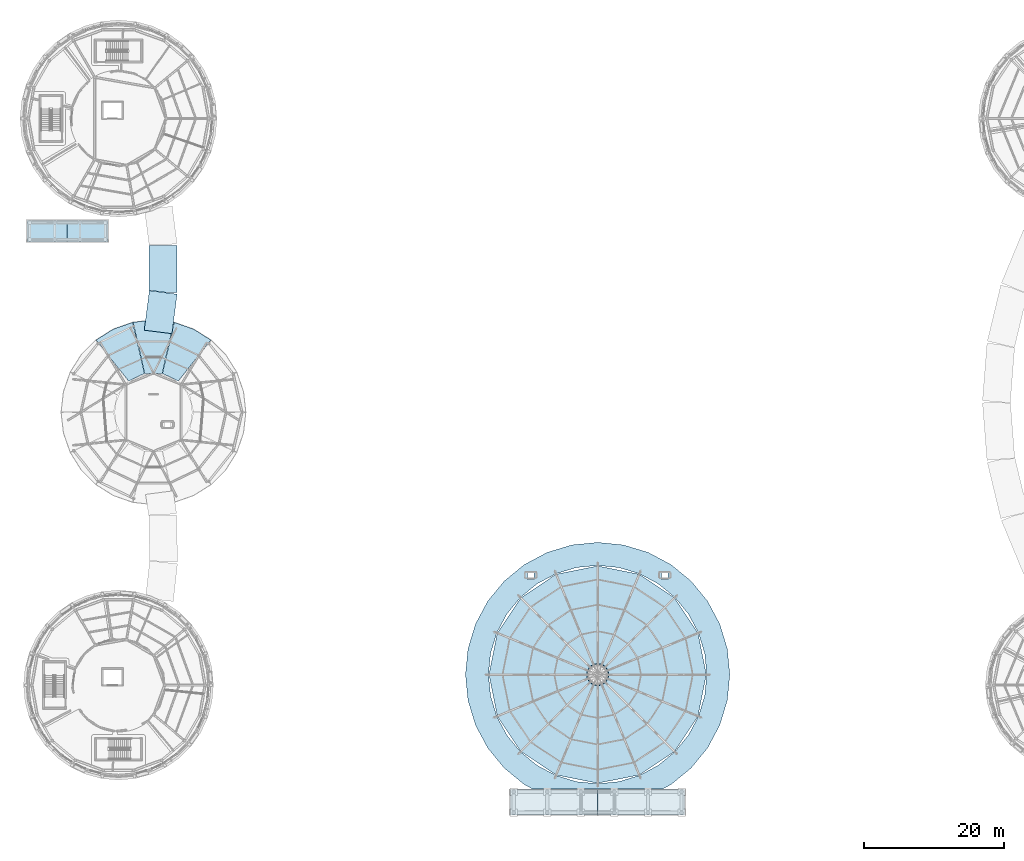
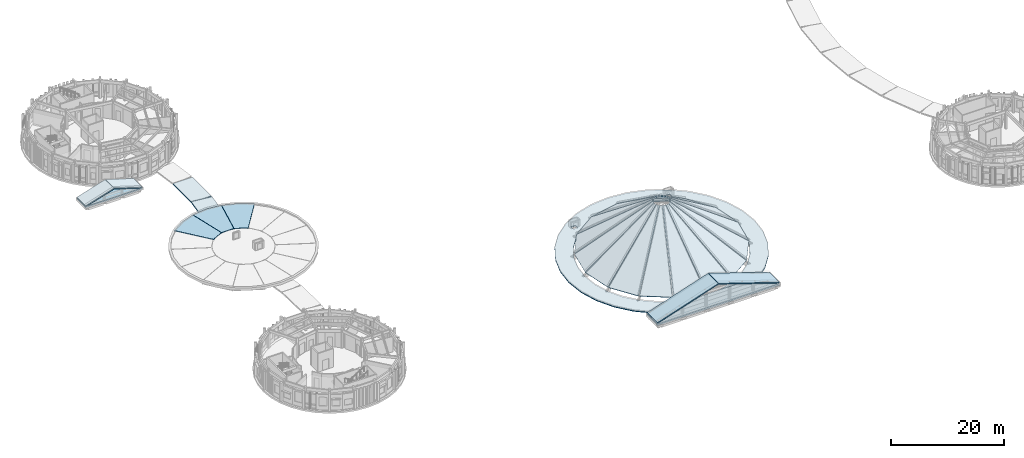
# One storey, part 22 of 58: 28 slabs.
"""IFC4 building model written with IfcOpenShell, lengths in metres."""

from ifc_helpers import new_model, si_unit, direction, frame, origin, place, context, subcontext, project, spatial, polyline, outline, extrude, material, layer, layer_set, type_object, element, save


model = new_model("IFC4")

# Units and contexts
model_context = context("Model", 3, precision=1e-05, world=origin(), true_north=direction((0.0, 1.0)))
body_context = subcontext(model_context, "Body", "Model", "MODEL_VIEW")
ifc_project = project(units=[si_unit("LENGTHUNIT", "METRE"), si_unit("AREAUNIT", "SQUARE_METRE"), si_unit("VOLUMEUNIT", "CUBIC_METRE"), si_unit("PLANEANGLEUNIT", "RADIAN"), si_unit("MASSUNIT", "GRAM", prefix="KILO")], contexts=[model_context])

# Site, building, storey
site_placement = place(None, origin())
site = spatial("IfcSite", under=ifc_project, at=site_placement, CompositionType="ELEMENT")
building_placement = place(site_placement, origin())
building = spatial("IfcBuilding", under=site, at=building_placement, Name="Aldenvaro Health Centre", CompositionType="ELEMENT")
storey_placement = place(building_placement, frame((0.0, 0.0, 8.75)))
storey = spatial("IfcBuildingStorey", under=building, at=storey_placement, Name="L02", CompositionType="ELEMENT", Elevation=8.75)

# Slabs
ifc_material_1 = material(Name="Cross-laminated timber CLT E1", Category="wood")
ifc_layer_1 = layer(ifc_material_1, 0.175048828125, Name="Cross-laminated timber CLT E1", Category="wood")
ifc_layer_set_1 = layer_set([ifc_layer_1], Name="Cross-laminated timber CLT E1")
slab_type_1 = type_object("IfcSlabType", Name="SLB-ROOF-175", PredefinedType="ROOF", material=ifc_layer_set_1)
slab_1_placement = place(storey_placement, frame((0.0, 0.0, 0.6201171875)))
element("IfcSlab", 1, at=slab_1_placement, inside=storey, type_object=slab_type_1, Name="D3 Overhanging Flat Roof Sector 03", PredefinedType="ROOF", context=body_context, shape_type="SweptSolid", body=[
    extrude(outline(polyline([(31.708984375, 67.8369140625), (29.22802734375, 69.39306640625), (26.464111328125, 70.363037109375), (24.780029296875, 63.053955078125), (27.044921875, 61.964111328125), (31.708984375, 67.8369140625)])), origin(), (0.0, 0.0, 1.0), 0.1748046875),
])
slab_2_placement = place(storey_placement, frame((0.0, 0.0, 0.6201171875)))
element("IfcSlab", 2, at=slab_2_placement, inside=storey, type_object=slab_type_1, Name="D3 Overhanging Flat Roof Sector 04", PredefinedType="ROOF", context=body_context, shape_type="SweptSolid", body=[
    extrude(outline(polyline([(26.410888671875, 70.375), (23.5, 70.699951171875), (20.589111328125, 70.375), (22.242919921875, 63.06005859375), (24.757080078125, 63.06005859375), (26.410888671875, 70.375)])), origin(), (0.0, 0.0, 1.0), 0.1748046875),
])
slab_3_placement = place(storey_placement, frame((0.0, 0.0, 0.6201171875)))
element("IfcSlab", 3, at=slab_3_placement, inside=storey, type_object=slab_type_1, Name="D3 Overhanging Flat Roof Sector 05", PredefinedType="ROOF", context=body_context, shape_type="SweptSolid", body=[
    extrude(outline(polyline([(20.535888671875, 70.363037109375), (17.77197265625, 69.39306640625), (15.291015625, 67.8369140625), (19.955078125, 61.964111328125), (22.219970703125, 63.053955078125), (20.535888671875, 70.363037109375)])), origin(), (0.0, 0.0, 1.0), 0.1748046875),
])
ifc_layer_2 = layer(ifc_material_1, 0.195068359375, Name="Cross-laminated timber CLT E1", Category="wood")
ifc_layer_set_2 = layer_set([ifc_layer_2], Name="Cross-laminated timber CLT E1")
slab_type_2 = type_object("IfcSlabType", Name="SLB-ROOF-195", PredefinedType="ROOF", material=ifc_layer_set_2)
slab_4_placement = place(storey_placement, origin())
element("IfcSlab", 4, at=slab_4_placement, inside=storey, type_object=slab_type_2, Name="Waiting Rotunda Overhanging Lower Cornice Roof", PredefinedType="ROOF", context=body_context, shape_type="SweptSolid", body=[
    extrude(outline(polyline([(76.5, 4.284912109375), (73.635986328125, 6.635986328125), (71.284912109375, 9.5), (69.5390625, 12.76708984375), (68.462890625, 16.31298828125), (68.10009765625, 20.0), (68.462890625, 23.68701171875), (69.5390625, 27.23291015625), (71.284912109375, 30.5), (73.635986328125, 33.364013671875), (76.5, 35.715087890625), (79.76708984375, 37.4609375), (83.31298828125, 38.537109375), (87.0, 38.89990234375), (90.68701171875, 38.537109375), (94.23291015625, 37.4609375), (97.5, 35.715087890625), (100.364013671875, 33.364013671875), (102.715087890625, 30.5), (104.4609375, 27.23291015625), (105.537109375, 23.68701171875), (105.89990234375, 20.0), (105.537109375, 16.31298828125), (104.4609375, 12.76708984375), (102.715087890625, 9.5), (100.364013671875, 6.635986328125), (97.5, 4.284912109375), (96.31201171875, 3.64990234375), (77.68798828125, 3.64990234375), (76.5, 4.284912109375)]), holes=[polyline([(102.300048828125, 23.04296875), (101.4130859375, 25.969970703125), (99.970947265625, 28.6669921875), (98.031005859375, 31.031005859375), (95.6669921875, 32.970947265625), (92.969970703125, 34.4130859375), (90.04296875, 35.300048828125), (87.0, 35.60009765625), (83.95703125, 35.300048828125), (81.030029296875, 34.4130859375), (78.3330078125, 32.970947265625), (75.968994140625, 31.031005859375), (74.029052734375, 28.6669921875), (72.5869140625, 25.969970703125), (71.699951171875, 23.04296875), (71.39990234375, 20.0), (71.699951171875, 16.95703125), (72.5869140625, 14.030029296875), (74.029052734375, 11.3330078125), (75.968994140625, 8.968994140625), (78.3330078125, 7.029052734375), (81.030029296875, 5.5869140625), (83.95703125, 4.699951171875), (87.0, 4.39990234375), (90.04296875, 4.699951171875), (92.969970703125, 5.5869140625), (95.6669921875, 7.029052734375), (98.031005859375, 8.968994140625), (99.970947265625, 11.3330078125), (101.4130859375, 14.030029296875), (102.300048828125, 16.95703125), (102.60009765625, 20.0), (102.300048828125, 23.04296875)]), polyline([(77.8701171875, 33.6298828125), (77.8701171875, 34.530029296875), (76.969970703125, 34.530029296875), (76.969970703125, 33.6298828125), (77.8701171875, 33.6298828125)]), polyline([(97.030029296875, 33.6298828125), (97.030029296875, 34.530029296875), (96.1298828125, 34.530029296875), (96.1298828125, 33.6298828125), (97.030029296875, 33.6298828125)])]), origin(), (0.0, 0.0, 1.0), 0.195068359375),
])
slab_5_placement = place(storey_placement, frame((102.52001953125, 20.075927734375, 1.06591796875), z_axis=(0.582438241072, 0.115944333114, 0.804563612746), x_axis=(-0.195224377282, 0.980758605587, -9.022968e-06)))
element("IfcSlab", 5, at=slab_5_placement, inside=storey, type_object=slab_type_2, Name="Waiting Rotunda Pitched Roof Sector 01", PredefinedType="ROOF", context=body_context, shape_type="SweptSolid", body=[
    extrude(outline(polyline([(0.0, 0.0), (5.906612531073507, -1.1102230246251565e-16), (3.257481591593891, 16.99712631904609), (2.652805993064616, 16.997027389152397), (0.0, 0.0)])), origin(), (0.0, 0.0, -1.0), 0.195068359375),
])
slab_6_placement = place(storey_placement, frame((101.30908203125, 26.009033203125, 1.06591796875), z_axis=(0.493817172642, 0.329879400778, 0.80456459091), x_axis=(-0.555462345064, 0.831541690481, -1.4454811e-05)))
element("IfcSlab", 6, at=slab_6_placement, inside=storey, type_object=slab_type_2, Name="Waiting Rotunda Pitched Roof Sector 02", PredefinedType="ROOF", context=body_context, shape_type="SweptSolid", body=[
    extrude(outline(polyline([(0.0, 0.0), (5.906895929221431, 0.0), (3.2540504435387816, 16.997193962458763), (2.649107198533209, 16.997035462828197), (0.0, 0.0)])), origin(), (0.0, 0.0, -1.0), 0.195068359375),
])
slab_7_placement = place(storey_placement, frame((97.9208984375, 31.028076171875, 1.06591796875), z_axis=(0.329879400778, 0.493817172642, 0.80456459091), x_axis=(-0.831541690481, 0.555462345064, 1.4454811e-05)))
element("IfcSlab", 7, at=slab_7_placement, inside=storey, type_object=slab_type_2, Name="Waiting Rotunda Pitched Roof Sector 03", PredefinedType="ROOF", context=body_context, shape_type="SweptSolid", body=[
    extrude(outline(polyline([(0.0, 0.0), (5.906895929221431, 0.0), (3.2577887306882203, 16.997035462828197), (2.6528454856826484, 16.997193962458763), (0.0, 0.0)])), origin(), (0.0, 0.0, -1.0), 0.195068359375),
])
slab_8_placement = place(storey_placement, frame((92.868896484375, 34.366943359375, 1.06591796875), z_axis=(0.115944333114, 0.582438241072, 0.804563612746), x_axis=(-0.980758605587, 0.195224377282, 9.022968e-06)))
element("IfcSlab", 8, at=slab_8_placement, inside=storey, type_object=slab_type_2, Name="Waiting Rotunda Pitched Roof Sector 04", PredefinedType="ROOF", context=body_context, shape_type="SweptSolid", body=[
    extrude(outline(polyline([(0.0, 0.0), (5.906612531073507, 1.1102230246251565e-16), (3.253806538008891, 16.997027389152397), (2.649130939479616, 16.99712631904609), (0.0, 0.0)])), origin(), (0.0, 0.0, -1.0), 0.195068359375),
])
slab_9_placement = place(storey_placement, frame((86.924072265625, 35.52001953125, 1.06591796875), z_axis=(-0.115944333114, 0.582438241072, 0.804563612746), x_axis=(-0.980758605587, -0.195224377282, -9.022968e-06)))
element("IfcSlab", 9, at=slab_9_placement, inside=storey, type_object=slab_type_2, Name="Waiting Rotunda Pitched Roof Sector 05", PredefinedType="ROOF", context=body_context, shape_type="SweptSolid", body=[
    extrude(outline(polyline([(0.0, 0.0), (5.906612531073507, -1.1102230246251565e-16), (3.257481591593891, 16.99712631904609), (2.652805993064616, 16.997027389152397), (0.0, 0.0)])), origin(), (0.0, 0.0, -1.0), 0.195068359375),
])
slab_10_placement = place(storey_placement, frame((80.990966796875, 34.30908203125, 1.06591796875), z_axis=(-0.329879400778, 0.493817172642, 0.80456459091), x_axis=(-0.831541690481, -0.555462345064, -1.4454811e-05)))
element("IfcSlab", 10, at=slab_10_placement, inside=storey, type_object=slab_type_2, Name="Waiting Rotunda Pitched Roof Sector 06", PredefinedType="ROOF", context=body_context, shape_type="SweptSolid", body=[
    extrude(outline(polyline([(0.0, 0.0), (5.906895929221431, 0.0), (3.2540504435387816, 16.997193962458763), (2.649107198533209, 16.997035462828197), (0.0, 0.0)])), origin(), (0.0, 0.0, -1.0), 0.195068359375),
])
slab_11_placement = place(storey_placement, frame((75.971923828125, 30.9208984375, 1.06591796875), z_axis=(-0.493817172642, 0.329879400778, 0.80456459091), x_axis=(-0.555462345064, -0.831541690481, 1.4454811e-05)))
element("IfcSlab", 11, at=slab_11_placement, inside=storey, type_object=slab_type_2, Name="Waiting Rotunda Pitched Roof Sector 07", PredefinedType="ROOF", context=body_context, shape_type="SweptSolid", body=[
    extrude(outline(polyline([(0.0, 0.0), (5.906895929221431, 0.0), (3.2577887306882203, 16.997035462828197), (2.6528454856826484, 16.997193962458763), (0.0, 0.0)])), origin(), (0.0, 0.0, -1.0), 0.195068359375),
])
slab_12_placement = place(storey_placement, frame((72.633056640625, 25.868896484375, 1.06591796875), z_axis=(-0.582438241072, 0.115944333114, 0.804563612746), x_axis=(-0.195224377282, -0.980758605587, 9.022968e-06)))
element("IfcSlab", 12, at=slab_12_placement, inside=storey, type_object=slab_type_2, Name="Waiting Rotunda Pitched Roof Sector 08", PredefinedType="ROOF", context=body_context, shape_type="SweptSolid", body=[
    extrude(outline(polyline([(0.0, 0.0), (5.906612531073507, 1.1102230246251565e-16), (3.253806538008891, 16.997027389152397), (2.649130939479616, 16.99712631904609), (0.0, 0.0)])), origin(), (0.0, 0.0, -1.0), 0.195068359375),
])
slab_13_placement = place(storey_placement, frame((71.47998046875, 19.924072265625, 1.06591796875), z_axis=(-0.582438241072, -0.115944333114, 0.804563612746), x_axis=(0.195224377282, -0.980758605587, -9.022968e-06)))
element("IfcSlab", 13, at=slab_13_placement, inside=storey, type_object=slab_type_2, Name="Waiting Rotunda Pitched Roof Sector 09", PredefinedType="ROOF", context=body_context, shape_type="SweptSolid", body=[
    extrude(outline(polyline([(0.0, 0.0), (5.906612531073507, -1.1102230246251565e-16), (3.257481591593891, 16.99712631904609), (2.652805993064616, 16.997027389152397), (0.0, 0.0)])), origin(), (0.0, 0.0, -1.0), 0.195068359375),
])
slab_14_placement = place(storey_placement, frame((72.69091796875, 13.990966796875, 1.06591796875), z_axis=(-0.493817172642, -0.329879400778, 0.80456459091), x_axis=(0.555462345064, -0.831541690481, -1.4454811e-05)))
element("IfcSlab", 14, at=slab_14_placement, inside=storey, type_object=slab_type_2, Name="Waiting Rotunda Pitched Roof Sector 10", PredefinedType="ROOF", context=body_context, shape_type="SweptSolid", body=[
    extrude(outline(polyline([(0.0, 0.0), (5.906895929221431, 0.0), (3.2540504435387816, 16.997193962458763), (2.649107198533209, 16.997035462828197), (0.0, 0.0)])), origin(), (0.0, 0.0, -1.0), 0.195068359375),
])
slab_15_placement = place(storey_placement, frame((76.0791015625, 8.971923828125, 1.06591796875), z_axis=(-0.329879400778, -0.493817172642, 0.80456459091), x_axis=(0.831541690481, -0.555462345064, 1.4454811e-05)))
element("IfcSlab", 15, at=slab_15_placement, inside=storey, type_object=slab_type_2, Name="Waiting Rotunda Pitched Roof Sector 11", PredefinedType="ROOF", context=body_context, shape_type="SweptSolid", body=[
    extrude(outline(polyline([(0.0, 0.0), (5.906895929221431, 0.0), (3.2577887306882203, 16.997035462828197), (2.6528454856826484, 16.997193962458763), (0.0, 0.0)])), origin(), (0.0, 0.0, -1.0), 0.195068359375),
])
slab_16_placement = place(storey_placement, frame((81.131103515625, 5.633056640625, 1.06591796875), z_axis=(-0.115944333114, -0.582438241072, 0.804563612746), x_axis=(0.980758605587, -0.195224377282, 9.022968e-06)))
element("IfcSlab", 16, at=slab_16_placement, inside=storey, type_object=slab_type_2, Name="Waiting Rotunda Pitched Roof Sector 12", PredefinedType="ROOF", context=body_context, shape_type="SweptSolid", body=[
    extrude(outline(polyline([(0.0, 0.0), (5.906612531073507, 1.1102230246251565e-16), (3.253806538008891, 16.997027389152397), (2.649130939479616, 16.99712631904609), (0.0, 0.0)])), origin(), (0.0, 0.0, -1.0), 0.195068359375),
])
slab_17_placement = place(storey_placement, frame((87.075927734375, 4.47998046875, 1.06591796875), z_axis=(0.115944333114, -0.582438241072, 0.804563612746), x_axis=(0.980758605587, 0.195224377282, -9.022968e-06)))
element("IfcSlab", 17, at=slab_17_placement, inside=storey, type_object=slab_type_2, Name="Waiting Rotunda Pitched Roof Sector 13", PredefinedType="ROOF", context=body_context, shape_type="SweptSolid", body=[
    extrude(outline(polyline([(0.0, 0.0), (5.906612531073507, -1.1102230246251565e-16), (3.257481591593891, 16.99712631904609), (2.652805993064616, 16.997027389152397), (0.0, 0.0)])), origin(), (0.0, 0.0, -1.0), 0.195068359375),
])
slab_18_placement = place(storey_placement, frame((93.009033203125, 5.69091796875, 1.06591796875), z_axis=(0.329879400778, -0.493817172642, 0.80456459091), x_axis=(0.831541690481, 0.555462345064, -1.4454811e-05)))
element("IfcSlab", 18, at=slab_18_placement, inside=storey, type_object=slab_type_2, Name="Waiting Rotunda Pitched Roof Sector 14", PredefinedType="ROOF", context=body_context, shape_type="SweptSolid", body=[
    extrude(outline(polyline([(0.0, 0.0), (5.906895929221431, 0.0), (3.2540504435387816, 16.997193962458763), (2.649107198533209, 16.997035462828197), (0.0, 0.0)])), origin(), (0.0, 0.0, -1.0), 0.195068359375),
])
slab_19_placement = place(storey_placement, frame((98.028076171875, 9.0791015625, 1.06591796875), z_axis=(0.493817172642, -0.329879400778, 0.80456459091), x_axis=(0.555462345064, 0.831541690481, 1.4454811e-05)))
element("IfcSlab", 19, at=slab_19_placement, inside=storey, type_object=slab_type_2, Name="Waiting Rotunda Pitched Roof Sector 15", PredefinedType="ROOF", context=body_context, shape_type="SweptSolid", body=[
    extrude(outline(polyline([(0.0, 0.0), (5.906895929221431, 0.0), (3.2577887306882203, 16.997035462828197), (2.6528454856826484, 16.997193962458763), (0.0, 0.0)])), origin(), (0.0, 0.0, -1.0), 0.195068359375),
])
slab_20_placement = place(storey_placement, frame((101.366943359375, 14.131103515625, 1.06591796875), z_axis=(0.582438241072, -0.115944333114, 0.804563612746), x_axis=(0.195224377282, 0.980758605587, 9.022968e-06)))
element("IfcSlab", 20, at=slab_20_placement, inside=storey, type_object=slab_type_2, Name="Waiting Rotunda Pitched Roof Sector 16", PredefinedType="ROOF", context=body_context, shape_type="SweptSolid", body=[
    extrude(outline(polyline([(0.0, 0.0), (5.906612531073507, 1.1102230246251565e-16), (3.253806538008891, 16.997027389152397), (2.649130939479616, 16.99712631904609), (0.0, 0.0)])), origin(), (0.0, 0.0, -1.0), 0.195068359375),
])
for number, where, z_axis, x_axis, name in (
    (21, (74.550048828125, -0.10009765625, 1.3701171875), (-0.312539096871, 0.0, 0.94990489678), (0.94990489678, 0.0, 0.312539096871), "Neoclassical Portico West Pediment Slope"),
    (22, (87.050048828125, -0.10009765625, 5.449951171875), (0.312539096871, 0.0, 0.94990489678), (0.94990489678, 0.0, -0.312539096871), "Neoclassical Portico East Pediment Slope"),
):
    element("IfcSlab", number, at=place(storey_placement, frame(where, z_axis=z_axis, x_axis=x_axis)), inside=storey, type_object=slab_type_2, Name=name, PredefinedType="ROOF", context=body_context, shape_type="SweptSolid", body=[
        extrude(outline(polyline([(0.0, 0.0), (13.053835584784954, 0.0), (13.053835584784954, 3.650146484375), (0.0, 3.650146484375), (0.0, 0.0)])), origin(), (0.0, 0.0, -1.0), 0.195068359375),
    ])
for number, where, z_axis, x_axis, name in (
    (23, (5.419921875, 81.85009765625, 1.010009765625), (-0.297240682512, 0.0, 0.954802585177), (0.954802585177, 0.0, 0.297240682512), "Bastion Portico N4 Pediment Deck W"),
    (24, (11.22998046875, 81.85009765625, 2.800048828125), (0.297240682512, 0.0, 0.954802585177), (0.954802585177, 0.0, -0.297240682512), "Bastion Portico N4 Pediment Deck E"),
):
    element("IfcSlab", number, at=place(storey_placement, frame(where, z_axis=z_axis, x_axis=x_axis)), inside=storey, type_object=slab_type_2, Name=name, PredefinedType="ROOF", context=body_context, shape_type="SweptSolid", body=[
        extrude(outline(polyline([(0.0, 0.0), (6.022187297425734, 0.0), (6.022187297425734, 3.099853515625), (0.0, 3.099853515625), (0.0, 0.0)])), origin(), (0.0, 0.0, -1.0), 0.195068359375),
    ])
ifc_material_2 = material(Name="Concrete f'c 40 MPa", Category="concrete")
ifc_layer_3 = layer(ifc_material_2, 0.25, Name="Concrete f'c 40 MPa", Category="concrete")
ifc_layer_set_3 = layer_set([ifc_layer_3], Name="Concrete f'c 40 MPa")
slab_type_3 = type_object("IfcSlabType", Name="SLB-ROOF-250", PredefinedType="ROOF", material=ifc_layer_set_3)
slab_21_placement = place(storey_placement, frame((0.0, 0.0, -0.25)))
element("IfcSlab", 25, at=slab_21_placement, inside=storey, type_object=slab_type_3, Name="West North Curved Garden Walkway Arc 1 roof slab", PredefinedType="ROOF", context=body_context, shape_type="SweptSolid", body=[
    extrude(outline(polyline([(22.178955078125, 69.23095703125), (22.908935546875, 74.89892578125), (26.876953125, 74.386962890625), (26.14794921875, 68.73291015625), (22.178955078125, 69.23095703125)])), origin(), (0.0, 0.0, 1.0), 0.25),
])
slab_22_placement = place(storey_placement, frame((0.0, 0.0, -0.25)))
element("IfcSlab", 26, at=slab_22_placement, inside=storey, type_object=slab_type_3, Name="West North Curved Garden Walkway Arc 2 roof slab", PredefinedType="ROOF", context=body_context, shape_type="SweptSolid", body=[
    extrude(outline(polyline([(22.89306640625, 81.35693359375), (26.89306640625, 81.35693359375), (26.89306640625, 74.64306640625), (25.2060546875, 74.64306640625), (22.89306640625, 74.94091796875), (22.89306640625, 81.35693359375)])), origin(), (0.0, 0.0, 1.0), 0.25),
])
slab_23_placement = place(storey_placement, frame((0.0, 0.0, 0.75)))
element("IfcSlab", 27, at=slab_23_placement, inside=storey, type_object=slab_type_3, Name="Neoclassical Entrance Portico Cornice Deck", PredefinedType="ROOF", context=body_context, shape_type="SweptSolid", body=[
    extrude(outline(polyline([(74.550048828125, -0.10009765625), (99.449951171875, -0.10009765625), (99.449951171875, 3.550048828125), (74.550048828125, 3.550048828125), (74.550048828125, -0.10009765625)])), origin(), (0.0, 0.0, 1.0), 0.300048828125),
])
slab_24_placement = place(storey_placement, frame((0.0, 0.0, 0.60009765625)))
element("IfcSlab", 28, at=slab_24_placement, inside=storey, type_object=slab_type_3, Name="Bastion Tetrastyle Portico N4 Cornice Deck", PredefinedType="ROOF", context=body_context, shape_type="SweptSolid", body=[
    extrude(outline(polyline([(5.419921875, 81.85009765625), (16.97998046875, 81.85009765625), (16.97998046875, 84.949951171875), (5.419921875, 84.949951171875), (5.419921875, 81.85009765625)])), origin(), (0.0, 0.0, 1.0), 0.25),
])

save(model, "model.ifc")
